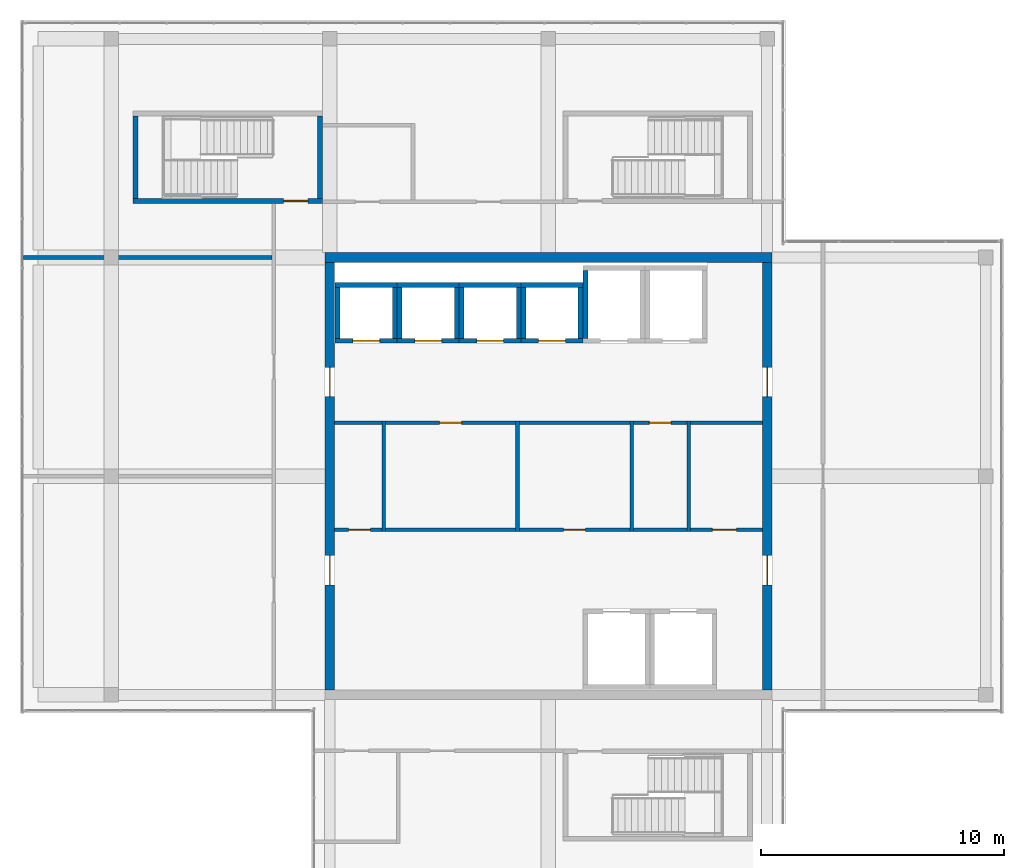
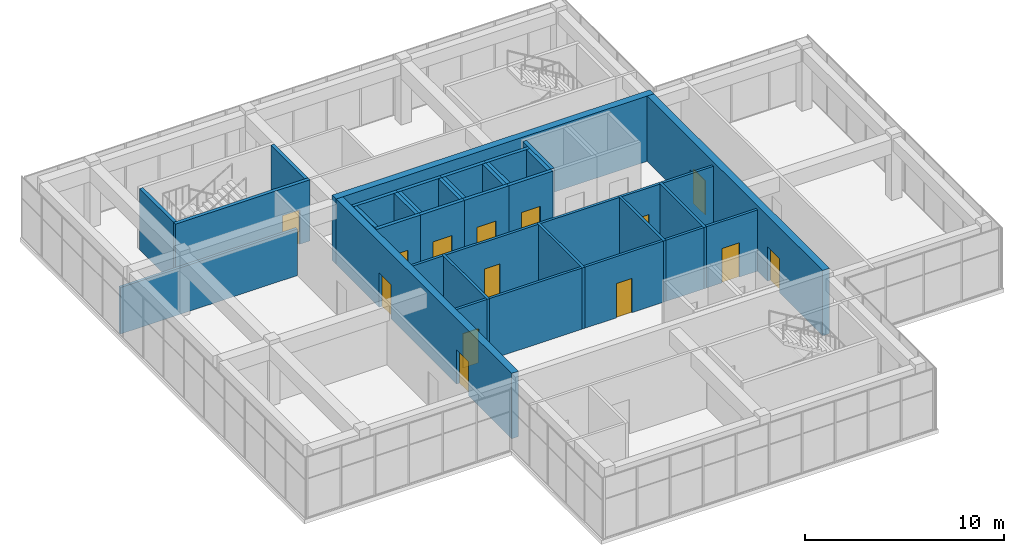
# One storey, part 32 of 35: 38 walls, 14 doors, 14 openings.
"""IFC4 building model written with IfcOpenShell, lengths in metres."""

from ifc_helpers import new_model, si_unit, direction, frame, frame_2d, origin, place, context, subcontext, project, spatial, rectangle, extrude, material, layer, layer_set, type_object, element, fill, save


model = new_model("IFC4")

# Units and contexts
model_context = context("Model", 3, precision=1e-05, world=origin(), true_north=direction((0.0, 1.0)))
body_context = subcontext(model_context, "Body", "Model", "MODEL_VIEW")
ifc_project = project(units=[si_unit("LENGTHUNIT", "METRE"), si_unit("AREAUNIT", "SQUARE_METRE"), si_unit("VOLUMEUNIT", "CUBIC_METRE"), si_unit("PLANEANGLEUNIT", "RADIAN"), si_unit("MASSUNIT", "GRAM", prefix="KILO")], contexts=[model_context])

# Site, building, storey
site_placement = place(None, origin())
site = spatial("IfcSite", under=ifc_project, at=site_placement, CompositionType="ELEMENT")
building_placement = place(site_placement, origin())
building = spatial("IfcBuilding", under=site, at=building_placement, Name="Tuart Plaza Theatre", CompositionType="ELEMENT")
storey_placement = place(building_placement, frame((0.0, 0.0, 45.5)))
storey = spatial("IfcBuildingStorey", under=building, at=storey_placement, Name="L11", CompositionType="ELEMENT", Elevation=45.5)

# Wall
ifc_material_1 = material(Name="Masonry block", Category="masonry")
ifc_layer_1 = layer(ifc_material_1, 0.14990234375)
ifc_layer_set_1 = layer_set([ifc_layer_1], Name="PARTITION BLK150 MASONRYB FRL -/120/120")
wall_type_1 = type_object("IfcWallType", Name="PARTITION BLK150 MASONRYB FRL -/120/120", PredefinedType="PARTITIONING", material=ifc_layer_set_1)
wall_1_placement = place(storey_placement, frame((125.22509765625, 71.72509765625, 0.0), z_axis=(0.0, 0.0, 1.0), x_axis=(0.0, 1.0, 0.0)))
element("IfcWall", 1, at=wall_1_placement, inside=storey, type_object=wall_type_1, Name="P666", PredefinedType="PARTITIONING", context=body_context, shape_type="SweptSolid", body=[
    extrude(rectangle(XDim=4.5498046875, YDim=0.14990234375, at=frame_2d((2.27490234375, 0.0))), origin(), (0.0, 0.0, 1.0), 3.75),
])

# Wall, opening, door
wall_2_placement = place(storey_placement, frame((123.199951171875, 71.800048828125, 0.0), z_axis=(0.0, 0.0, 1.0), x_axis=(1.0, 0.0, 0.0)))
wall_2 = element("IfcWall", 2, at=wall_2_placement, inside=storey, type_object=wall_type_1, Name="P667", PredefinedType="PARTITIONING", context=body_context, shape_type="SweptSolid", body=[
    extrude(rectangle(XDim=1.949951171875, YDim=0.14990234375, at=frame_2d((0.97509765625, 0.0))), origin(), (0.0, 0.0, 1.0), 3.75),
])
opening_1_placement = place(wall_2_placement, frame((0.574951171875, 0.0, 0.0)))
opening_1 = element("IfcOpeningElement", 3, at=opening_1_placement, cuts=wall_2, Name="Opening L11-016", PredefinedType="OPENING", context=body_context, shape_type="SweptSolid", body=[
    extrude(rectangle(XDim=0.89990234375, YDim=2.10009765625, at=frame_2d((0.449951171875, 1.050048828125))), frame((0.0, 0.0849609375, 0.0), z_axis=(0.0, -1.0, 0.0), x_axis=(1.0, 0.0, 0.0)), (0.0, 0.0, 1.0), 0.169921875),
])
ifc_material_2 = material(Name="Steel Grade 300", Category="steel")
door_type_1 = type_object("IfcDoorType", Name="DOOR 900x2100 steel single swing FRL -/120/30", OperationType="SINGLE_SWING_LEFT", PredefinedType="DOOR", material=ifc_material_2)
door_1_placement = place(opening_1_placement, origin())
door_1 = element("IfcDoor", 4, at=door_1_placement, inside=storey, type_object=door_type_1, Name="L11-016", OperationType="SINGLE_SWING_LEFT", OverallHeight=2.10009765625, OverallWidth=0.89990234375, PredefinedType="DOOR", context=body_context, shape_type="SweptSolid", body=[
    extrude(rectangle(XDim=0.89990234375, YDim=2.10009765625, at=frame_2d((0.449951171875, 1.050048828125))), frame((0.0, 0.02490234375, 0.0), z_axis=(0.0, -1.0, 0.0), x_axis=(1.0, 0.0, 0.0)), (0.0, 0.0, 1.0), 0.050048828125),
])
fill(opening_1, door_1)

# Walls
wall_3_placement = place(storey_placement, frame((123.199951171875, 76.199951171875, 0.0), z_axis=(0.0, 0.0, 1.0), x_axis=(1.0, 0.0, 0.0)))
element("IfcWall", 5, at=wall_3_placement, inside=storey, type_object=wall_type_1, Name="P668", PredefinedType="PARTITIONING", context=body_context, shape_type="SweptSolid", body=[
    extrude(rectangle(XDim=1.949951171875, YDim=0.14990234375, at=frame_2d((0.97509765625, 0.0))), origin(), (0.0, 0.0, 1.0), 3.75),
])
wall_4_placement = place(storey_placement, frame((130.72509765625, 71.72509765625, 0.0), z_axis=(0.0, 0.0, 1.0), x_axis=(0.0, 1.0, 0.0)))
element("IfcWall", 6, at=wall_4_placement, inside=storey, type_object=wall_type_1, Name="P669", PredefinedType="PARTITIONING", context=body_context, shape_type="SweptSolid", body=[
    extrude(rectangle(XDim=4.5498046875, YDim=0.14990234375, at=frame_2d((2.27490234375, 0.0))), origin(), (0.0, 0.0, 1.0), 3.75),
])
wall_5_placement = place(storey_placement, frame((125.300048828125, 71.800048828125, 0.0), z_axis=(0.0, 0.0, 1.0), x_axis=(1.0, 0.0, 0.0)))
element("IfcWall", 7, at=wall_5_placement, inside=storey, type_object=wall_type_1, Name="P670", PredefinedType="PARTITIONING", context=body_context, shape_type="SweptSolid", body=[
    extrude(rectangle(XDim=5.349853515625, YDim=0.14990234375, at=frame_2d((2.6748046875, 0.0))), origin(), (0.0, 0.0, 1.0), 3.75),
])

# Wall, opening, door
wall_6_placement = place(storey_placement, frame((125.300048828125, 76.199951171875, 0.0), z_axis=(0.0, 0.0, 1.0), x_axis=(1.0, 0.0, 0.0)))
wall_6 = element("IfcWall", 8, at=wall_6_placement, inside=storey, type_object=wall_type_1, Name="P671", PredefinedType="PARTITIONING", context=body_context, shape_type="SweptSolid", body=[
    extrude(rectangle(XDim=5.349853515625, YDim=0.14990234375, at=frame_2d((2.6748046875, 0.0))), origin(), (0.0, 0.0, 1.0), 3.75),
])
opening_2_placement = place(wall_6_placement, frame((2.22509765625, 0.0, 0.0)))
opening_2 = element("IfcOpeningElement", 9, at=opening_2_placement, cuts=wall_6, Name="Opening L11-017", PredefinedType="OPENING", context=body_context, shape_type="SweptSolid", body=[
    extrude(rectangle(XDim=0.89990234375, YDim=2.10009765625, at=frame_2d((0.449951171875, 1.050048828125))), frame((0.0, 0.0849609375, 0.0), z_axis=(0.0, -1.0, 0.0), x_axis=(1.0, 0.0, 0.0)), (0.0, 0.0, 1.0), 0.169921875),
])
door_2_placement = place(opening_2_placement, frame((0.89990234375, 0.0, 0.0), z_axis=(0.0, 0.0, 1.0), x_axis=(-1.0, 0.0, 0.0)))
door_2 = element("IfcDoor", 10, at=door_2_placement, inside=storey, type_object=door_type_1, Name="L11-017", OperationType="SINGLE_SWING_LEFT", OverallHeight=2.10009765625, OverallWidth=0.89990234375, PredefinedType="DOOR", context=body_context, shape_type="SweptSolid", body=[
    extrude(rectangle(XDim=0.89990234375, YDim=2.10009765625, at=frame_2d((0.449951171875, 1.050048828125))), frame((0.0, 0.02490234375, 0.0), z_axis=(0.0, -1.0, 0.0), x_axis=(1.0, 0.0, 0.0)), (0.0, 0.0, 1.0), 0.050048828125),
])
fill(opening_2, door_2)

# Wall
wall_7_placement = place(storey_placement, frame((135.425048828125, 71.72509765625, 0.0), z_axis=(0.0, 0.0, 1.0), x_axis=(0.0, 1.0, 0.0)))
element("IfcWall", 11, at=wall_7_placement, inside=storey, type_object=wall_type_1, Name="P672", PredefinedType="PARTITIONING", context=body_context, shape_type="SweptSolid", body=[
    extrude(rectangle(XDim=4.5498046875, YDim=0.14990234375, at=frame_2d((2.27490234375, 0.0))), origin(), (0.0, 0.0, 1.0), 3.75),
])

# Wall, opening, door
wall_8_placement = place(storey_placement, frame((130.800048828125, 71.800048828125, 0.0), z_axis=(0.0, 0.0, 1.0), x_axis=(1.0, 0.0, 0.0)))
wall_8 = element("IfcWall", 12, at=wall_8_placement, inside=storey, type_object=wall_type_1, Name="P673", PredefinedType="PARTITIONING", context=body_context, shape_type="SweptSolid", body=[
    extrude(rectangle(XDim=4.550048828125, YDim=0.14990234375, at=frame_2d((2.27490234375, 0.0))), origin(), (0.0, 0.0, 1.0), 3.75),
])
opening_3_placement = place(wall_8_placement, frame((1.824951171875, 0.0, 0.0)))
opening_3 = element("IfcOpeningElement", 13, at=opening_3_placement, cuts=wall_8, Name="Opening L11-018", PredefinedType="OPENING", context=body_context, shape_type="SweptSolid", body=[
    extrude(rectangle(XDim=0.89990234375, YDim=2.10009765625, at=frame_2d((0.449951171875, 1.050048828125))), frame((0.0, 0.0849609375, 0.0), z_axis=(0.0, -1.0, 0.0), x_axis=(1.0, 0.0, 0.0)), (0.0, 0.0, 1.0), 0.169921875),
])
door_3_placement = place(opening_3_placement, origin())
door_3 = element("IfcDoor", 14, at=door_3_placement, inside=storey, type_object=door_type_1, Name="L11-018", OperationType="SINGLE_SWING_LEFT", OverallHeight=2.10009765625, OverallWidth=0.89990234375, PredefinedType="DOOR", context=body_context, shape_type="SweptSolid", body=[
    extrude(rectangle(XDim=0.89990234375, YDim=2.10009765625, at=frame_2d((0.449951171875, 1.050048828125))), frame((0.0, 0.02490234375, 0.0), z_axis=(0.0, -1.0, 0.0), x_axis=(1.0, 0.0, 0.0)), (0.0, 0.0, 1.0), 0.050048828125),
])
fill(opening_3, door_3)

# Walls
wall_9_placement = place(storey_placement, frame((130.800048828125, 76.199951171875, 0.0), z_axis=(0.0, 0.0, 1.0), x_axis=(1.0, 0.0, 0.0)))
element("IfcWall", 15, at=wall_9_placement, inside=storey, type_object=wall_type_1, Name="P674", PredefinedType="PARTITIONING", context=body_context, shape_type="SweptSolid", body=[
    extrude(rectangle(XDim=4.550048828125, YDim=0.14990234375, at=frame_2d((2.27490234375, 0.0))), origin(), (0.0, 0.0, 1.0), 3.75),
])
wall_10_placement = place(storey_placement, frame((137.77490234375, 71.72509765625, 0.0), z_axis=(0.0, 0.0, 1.0), x_axis=(0.0, 1.0, 0.0)))
element("IfcWall", 16, at=wall_10_placement, inside=storey, type_object=wall_type_1, Name="P675", PredefinedType="PARTITIONING", context=body_context, shape_type="SweptSolid", body=[
    extrude(rectangle(XDim=4.5498046875, YDim=0.14990234375, at=frame_2d((2.27490234375, 0.0))), origin(), (0.0, 0.0, 1.0), 3.75),
])
wall_11_placement = place(storey_placement, frame((135.5, 71.800048828125, 0.0), z_axis=(0.0, 0.0, 1.0), x_axis=(1.0, 0.0, 0.0)))
element("IfcWall", 17, at=wall_11_placement, inside=storey, type_object=wall_type_1, Name="P676", PredefinedType="PARTITIONING", context=body_context, shape_type="SweptSolid", body=[
    extrude(rectangle(XDim=2.199951171875, YDim=0.14990234375, at=frame_2d((1.10009765625, 0.0))), origin(), (0.0, 0.0, 1.0), 3.75),
])

# Wall, opening, door
wall_12_placement = place(storey_placement, frame((135.5, 76.199951171875, 0.0), z_axis=(0.0, 0.0, 1.0), x_axis=(1.0, 0.0, 0.0)))
wall_12 = element("IfcWall", 18, at=wall_12_placement, inside=storey, type_object=wall_type_1, Name="P677", PredefinedType="PARTITIONING", context=body_context, shape_type="SweptSolid", body=[
    extrude(rectangle(XDim=2.199951171875, YDim=0.14990234375, at=frame_2d((1.10009765625, 0.0))), origin(), (0.0, 0.0, 1.0), 3.75),
])
opening_4_placement = place(wall_12_placement, frame((0.64990234375, 0.0, 0.0)))
opening_4 = element("IfcOpeningElement", 19, at=opening_4_placement, cuts=wall_12, Name="Opening L11-019", PredefinedType="OPENING", context=body_context, shape_type="SweptSolid", body=[
    extrude(rectangle(XDim=0.89990234375, YDim=2.10009765625, at=frame_2d((0.449951171875, 1.050048828125))), frame((0.0, 0.0849609375, 0.0), z_axis=(0.0, -1.0, 0.0), x_axis=(1.0, 0.0, 0.0)), (0.0, 0.0, 1.0), 0.169921875),
])
door_4_placement = place(opening_4_placement, frame((0.89990234375, 0.0, 0.0), z_axis=(0.0, 0.0, 1.0), x_axis=(-1.0, 0.0, 0.0)))
door_4 = element("IfcDoor", 20, at=door_4_placement, inside=storey, type_object=door_type_1, Name="L11-019", OperationType="SINGLE_SWING_LEFT", OverallHeight=2.10009765625, OverallWidth=0.89990234375, PredefinedType="DOOR", context=body_context, shape_type="SweptSolid", body=[
    extrude(rectangle(XDim=0.89990234375, YDim=2.10009765625, at=frame_2d((0.449951171875, 1.050048828125))), frame((0.0, 0.02490234375, 0.0), z_axis=(0.0, -1.0, 0.0), x_axis=(1.0, 0.0, 0.0)), (0.0, 0.0, 1.0), 0.050048828125),
])
fill(opening_4, door_4)

wall_13_placement = place(storey_placement, frame((137.85009765625, 71.800048828125, 0.0), z_axis=(0.0, 0.0, 1.0), x_axis=(1.0, 0.0, 0.0)))
wall_13 = element("IfcWall", 21, at=wall_13_placement, inside=storey, type_object=wall_type_1, Name="P678", PredefinedType="PARTITIONING", context=body_context, shape_type="SweptSolid", body=[
    extrude(rectangle(XDim=2.949951171875, YDim=0.14990234375, at=frame_2d((1.47509765625, 0.0))), origin(), (0.0, 0.0, 1.0), 3.75),
])
opening_5_placement = place(wall_13_placement, frame((0.89990234375, 0.0, 0.0)))
opening_5 = element("IfcOpeningElement", 22, at=opening_5_placement, cuts=wall_13, Name="Opening L11-020", PredefinedType="OPENING", context=body_context, shape_type="SweptSolid", body=[
    extrude(rectangle(XDim=1.0, YDim=2.10009765625, at=frame_2d((0.5, 1.050048828125))), frame((0.0, 0.0849609375, 0.0), z_axis=(0.0, -1.0, 0.0), x_axis=(1.0, 0.0, 0.0)), (0.0, 0.0, 1.0), 0.169921875),
])
ifc_material_3 = material(Name="Steel Grade 300", Category="steel")
door_type_2 = type_object("IfcDoorType", Name="DOOR 1000x2100 steel single swing FRL -/120/30", OperationType="SINGLE_SWING_LEFT", PredefinedType="DOOR", material=ifc_material_3)
door_5_placement = place(opening_5_placement, origin())
door_5 = element("IfcDoor", 23, at=door_5_placement, inside=storey, type_object=door_type_2, Name="L11-020", OperationType="SINGLE_SWING_RIGHT", OverallHeight=2.10009765625, OverallWidth=1.0, PredefinedType="DOOR", context=body_context, shape_type="SweptSolid", body=[
    extrude(rectangle(XDim=1.0, YDim=2.10009765625, at=frame_2d((0.5, 1.050048828125))), frame((0.0, 0.02490234375, 0.0), z_axis=(0.0, -1.0, 0.0), x_axis=(1.0, 0.0, 0.0)), (0.0, 0.0, 1.0), 0.050048828125),
])
fill(opening_5, door_5)

# Walls
wall_14_placement = place(storey_placement, frame((137.85009765625, 76.199951171875, 0.0), z_axis=(0.0, 0.0, 1.0), x_axis=(1.0, 0.0, 0.0)))
element("IfcWall", 24, at=wall_14_placement, inside=storey, type_object=wall_type_1, Name="P679", PredefinedType="PARTITIONING", context=body_context, shape_type="SweptSolid", body=[
    extrude(rectangle(XDim=2.949951171875, YDim=0.14990234375, at=frame_2d((1.47509765625, 0.0))), origin(), (0.0, 0.0, 1.0), 3.75),
])
ifc_material_4 = material(Name="Masonry block", Category="masonry")
ifc_layer_2 = layer(ifc_material_4, 0.14990234375)
ifc_layer_set_2 = layer_set([ifc_layer_2], Name="PARTITION BLK150 MASONRYB FRL 120/-/-")
wall_type_2 = type_object("IfcWallType", Name="PARTITION BLK150 MASONRYB FRL 120/-/-", PredefinedType="PARTITIONING", material=ifc_layer_set_2)
wall_15_placement = place(storey_placement, frame((110.39990234375, 83.0, 0.0), z_axis=(0.0, 0.0, 1.0), x_axis=(1.0, 0.0, 0.0)))
element("IfcWall", 25, at=wall_15_placement, inside=storey, type_object=wall_type_2, Name="P687", PredefinedType="PARTITIONING", context=body_context, shape_type="SweptSolid", body=[
    extrude(rectangle(XDim=10.22607421875, YDim=0.14990234375, at=frame_2d((5.113037109375, 0.0))), origin(), (0.0, 0.0, 1.0), 2.85009765625),
])

# Wall, opening, door
ifc_material_5 = material(Name="Concrete N40 (40 MPa)", Category="concrete")
ifc_layer_3 = layer(ifc_material_5, 0.199951171875)
ifc_layer_set_3 = layer_set([ifc_layer_3], Name="SHEAR WALL RC200 FRL 120/120/120")
wall_type_3 = type_object("IfcWallType", Name="SHEAR WALL RC200 FRL 120/120/120", PredefinedType="SHEAR", material=ifc_layer_set_3)
wall_16_placement = place(storey_placement, frame((123.22509765625, 79.574951171875, 0.0), z_axis=(0.0, 0.0, 1.0), x_axis=(1.0, 0.0, 0.0)))
wall_16 = element("IfcWall", 26, at=wall_16_placement, inside=storey, type_object=wall_type_3, Name="W770", PredefinedType="SHEAR", context=body_context, shape_type="SweptSolid", body=[
    extrude(rectangle(XDim=2.5498046875, YDim=0.199951171875, at=frame_2d((1.27490234375, 0.0))), origin(), (0.0, 0.0, 1.0), 4.0),
])
opening_6_placement = place(wall_16_placement, frame((0.72509765625, 0.0, 0.0)))
opening_6 = element("IfcOpeningElement", 27, at=opening_6_placement, cuts=wall_16, Name="Opening L11-001", PredefinedType="OPENING", context=body_context, shape_type="SweptSolid", body=[
    extrude(rectangle(XDim=1.10009765625, YDim=2.10009765625, at=frame_2d((0.550048828125, 1.050048828125))), frame((0.0, 0.10986328125, 0.0), z_axis=(0.0, -1.0, 0.0), x_axis=(1.0, 0.0, 0.0)), (0.0, 0.0, 1.0), 0.219970703125),
])
ifc_material_6 = material(Name="Steel Grade 300", Category="steel")
door_type_3 = type_object("IfcDoorType", Name="LANDING DOOR 1100x2100 steel sliding FRL -/120/30", OperationType="SLIDING_TO_LEFT", PredefinedType="DOOR", material=ifc_material_6)
door_6_placement = place(opening_6_placement, origin())
door_6 = element("IfcDoor", 28, at=door_6_placement, inside=storey, type_object=door_type_3, Name="L11-001", OperationType="SLIDING_TO_LEFT", OverallHeight=2.10009765625, OverallWidth=1.10009765625, PredefinedType="DOOR", context=body_context, shape_type="SweptSolid", body=[
    extrude(rectangle(XDim=1.10009765625, YDim=2.10009765625, at=frame_2d((0.550048828125, 1.050048828125))), frame((0.0, 0.02490234375, 0.0), z_axis=(0.0, -1.0, 0.0), x_axis=(1.0, 0.0, 0.0)), (0.0, 0.0, 1.0), 0.050048828125),
])
fill(opening_6, door_6)

# Walls
wall_17_placement = place(storey_placement, frame((125.675048828125, 79.675048828125, 0.0), z_axis=(0.0, 0.0, 1.0), x_axis=(0.0, 1.0, 0.0)))
element("IfcWall", 29, at=wall_17_placement, inside=storey, type_object=wall_type_3, Name="W771", PredefinedType="SHEAR", context=body_context, shape_type="SweptSolid", body=[
    extrude(rectangle(XDim=2.099853515625, YDim=0.199951171875, at=frame_2d((1.0498046875, 0.0))), origin(), (0.0, 0.0, 1.0), 4.0),
])
wall_18_placement = place(storey_placement, frame((125.77490234375, 81.875, 0.0), z_axis=(0.0, 0.0, 1.0), x_axis=(-1.0, 0.0, 0.0)))
element("IfcWall", 30, at=wall_18_placement, inside=storey, type_object=wall_type_3, Name="W772", PredefinedType="SHEAR", context=body_context, shape_type="SweptSolid", body=[
    extrude(rectangle(XDim=2.5498046875, YDim=0.199951171875, at=frame_2d((1.27490234375, 0.0))), origin(), (0.0, 0.0, 1.0), 4.0),
])
wall_19_placement = place(storey_placement, frame((123.324951171875, 81.77490234375, 0.0), z_axis=(0.0, 0.0, 1.0), x_axis=(0.0, -1.0, 0.0)))
element("IfcWall", 31, at=wall_19_placement, inside=storey, type_object=wall_type_3, Name="W773", PredefinedType="SHEAR", context=body_context, shape_type="SweptSolid", body=[
    extrude(rectangle(XDim=2.099853515625, YDim=0.199951171875, at=frame_2d((1.0498046875, 0.0))), origin(), (0.0, 0.0, 1.0), 4.0),
])

# Wall, opening, door
wall_20_placement = place(storey_placement, frame((125.77490234375, 79.574951171875, 0.0), z_axis=(0.0, 0.0, 1.0), x_axis=(1.0, 0.0, 0.0)))
wall_20 = element("IfcWall", 32, at=wall_20_placement, inside=storey, type_object=wall_type_3, Name="W842", PredefinedType="SHEAR", context=body_context, shape_type="SweptSolid", body=[
    extrude(rectangle(XDim=2.550048828125, YDim=0.199951171875, at=frame_2d((1.27490234375, 0.0))), origin(), (0.0, 0.0, 1.0), 4.0),
])
opening_7_placement = place(wall_20_placement, frame((0.72509765625, 0.0, 0.0)))
opening_7 = element("IfcOpeningElement", 33, at=opening_7_placement, cuts=wall_20, Name="Opening L11-002", PredefinedType="OPENING", context=body_context, shape_type="SweptSolid", body=[
    extrude(rectangle(XDim=1.10009765625, YDim=2.10009765625, at=frame_2d((0.550048828125, 1.050048828125))), frame((0.0, 0.10986328125, 0.0), z_axis=(0.0, -1.0, 0.0), x_axis=(1.0, 0.0, 0.0)), (0.0, 0.0, 1.0), 0.219970703125),
])
door_7_placement = place(opening_7_placement, origin())
door_7 = element("IfcDoor", 34, at=door_7_placement, inside=storey, type_object=door_type_3, Name="L11-002", OperationType="SLIDING_TO_LEFT", OverallHeight=2.10009765625, OverallWidth=1.10009765625, PredefinedType="DOOR", context=body_context, shape_type="SweptSolid", body=[
    extrude(rectangle(XDim=1.10009765625, YDim=2.10009765625, at=frame_2d((0.550048828125, 1.050048828125))), frame((0.0, 0.02490234375, 0.0), z_axis=(0.0, -1.0, 0.0), x_axis=(1.0, 0.0, 0.0)), (0.0, 0.0, 1.0), 0.050048828125),
])
fill(opening_7, door_7)

# Walls
wall_21_placement = place(storey_placement, frame((128.22509765625, 79.675048828125, 0.0), z_axis=(0.0, 0.0, 1.0), x_axis=(0.0, 1.0, 0.0)))
element("IfcWall", 35, at=wall_21_placement, inside=storey, type_object=wall_type_3, Name="W843", PredefinedType="SHEAR", context=body_context, shape_type="SweptSolid", body=[
    extrude(rectangle(XDim=2.099853515625, YDim=0.199951171875, at=frame_2d((1.0498046875, 0.0))), origin(), (0.0, 0.0, 1.0), 4.0),
])
wall_22_placement = place(storey_placement, frame((128.324951171875, 81.875, 0.0), z_axis=(0.0, 0.0, 1.0), x_axis=(-1.0, 0.0, 0.0)))
element("IfcWall", 36, at=wall_22_placement, inside=storey, type_object=wall_type_3, Name="W844", PredefinedType="SHEAR", context=body_context, shape_type="SweptSolid", body=[
    extrude(rectangle(XDim=2.550048828125, YDim=0.199951171875, at=frame_2d((1.27490234375, 0.0))), origin(), (0.0, 0.0, 1.0), 4.0),
])
wall_23_placement = place(storey_placement, frame((125.875, 81.77490234375, 0.0), z_axis=(0.0, 0.0, 1.0), x_axis=(0.0, -1.0, 0.0)))
element("IfcWall", 37, at=wall_23_placement, inside=storey, type_object=wall_type_3, Name="W845", PredefinedType="SHEAR", context=body_context, shape_type="SweptSolid", body=[
    extrude(rectangle(XDim=2.099853515625, YDim=0.199951171875, at=frame_2d((1.0498046875, 0.0))), origin(), (0.0, 0.0, 1.0), 4.0),
])

# Wall, opening, door
wall_24_placement = place(storey_placement, frame((128.324951171875, 79.574951171875, 0.0), z_axis=(0.0, 0.0, 1.0), x_axis=(1.0, 0.0, 0.0)))
wall_24 = element("IfcWall", 38, at=wall_24_placement, inside=storey, type_object=wall_type_3, Name="W914", PredefinedType="SHEAR", context=body_context, shape_type="SweptSolid", body=[
    extrude(rectangle(XDim=2.550048828125, YDim=0.199951171875, at=frame_2d((1.27490234375, 0.0))), origin(), (0.0, 0.0, 1.0), 4.0),
])
opening_8_placement = place(wall_24_placement, frame((0.72509765625, 0.0, 0.0)))
opening_8 = element("IfcOpeningElement", 39, at=opening_8_placement, cuts=wall_24, Name="Opening L11-003", PredefinedType="OPENING", context=body_context, shape_type="SweptSolid", body=[
    extrude(rectangle(XDim=1.10009765625, YDim=2.10009765625, at=frame_2d((0.550048828125, 1.050048828125))), frame((0.0, 0.10986328125, 0.0), z_axis=(0.0, -1.0, 0.0), x_axis=(1.0, 0.0, 0.0)), (0.0, 0.0, 1.0), 0.219970703125),
])
door_8_placement = place(opening_8_placement, origin())
door_8 = element("IfcDoor", 40, at=door_8_placement, inside=storey, type_object=door_type_3, Name="L11-003", OperationType="SLIDING_TO_LEFT", OverallHeight=2.10009765625, OverallWidth=1.10009765625, PredefinedType="DOOR", context=body_context, shape_type="SweptSolid", body=[
    extrude(rectangle(XDim=1.10009765625, YDim=2.10009765625, at=frame_2d((0.550048828125, 1.050048828125))), frame((0.0, 0.02490234375, 0.0), z_axis=(0.0, -1.0, 0.0), x_axis=(1.0, 0.0, 0.0)), (0.0, 0.0, 1.0), 0.050048828125),
])
fill(opening_8, door_8)

# Walls
wall_25_placement = place(storey_placement, frame((130.77490234375, 79.675048828125, 0.0), z_axis=(0.0, 0.0, 1.0), x_axis=(0.0, 1.0, 0.0)))
element("IfcWall", 41, at=wall_25_placement, inside=storey, type_object=wall_type_3, Name="W915", PredefinedType="SHEAR", context=body_context, shape_type="SweptSolid", body=[
    extrude(rectangle(XDim=2.099853515625, YDim=0.199951171875, at=frame_2d((1.0498046875, 0.0))), origin(), (0.0, 0.0, 1.0), 4.0),
])
wall_26_placement = place(storey_placement, frame((130.875, 81.875, 0.0), z_axis=(0.0, 0.0, 1.0), x_axis=(-1.0, 0.0, 0.0)))
element("IfcWall", 42, at=wall_26_placement, inside=storey, type_object=wall_type_3, Name="W916", PredefinedType="SHEAR", context=body_context, shape_type="SweptSolid", body=[
    extrude(rectangle(XDim=2.550048828125, YDim=0.199951171875, at=frame_2d((1.27490234375, 0.0))), origin(), (0.0, 0.0, 1.0), 4.0),
])
wall_27_placement = place(storey_placement, frame((128.425048828125, 81.77490234375, 0.0), z_axis=(0.0, 0.0, 1.0), x_axis=(0.0, -1.0, 0.0)))
element("IfcWall", 43, at=wall_27_placement, inside=storey, type_object=wall_type_3, Name="W917", PredefinedType="SHEAR", context=body_context, shape_type="SweptSolid", body=[
    extrude(rectangle(XDim=2.099853515625, YDim=0.199951171875, at=frame_2d((1.0498046875, 0.0))), origin(), (0.0, 0.0, 1.0), 4.0),
])

# Wall, opening, door
wall_28_placement = place(storey_placement, frame((130.875, 79.574951171875, 0.0), z_axis=(0.0, 0.0, 1.0), x_axis=(1.0, 0.0, 0.0)))
wall_28 = element("IfcWall", 44, at=wall_28_placement, inside=storey, type_object=wall_type_3, Name="W986", PredefinedType="SHEAR", context=body_context, shape_type="SweptSolid", body=[
    extrude(rectangle(XDim=2.550048828125, YDim=0.199951171875, at=frame_2d((1.27490234375, 0.0))), origin(), (0.0, 0.0, 1.0), 4.0),
])
opening_9_placement = place(wall_28_placement, frame((0.72509765625, 0.0, 0.0)))
opening_9 = element("IfcOpeningElement", 45, at=opening_9_placement, cuts=wall_28, Name="Opening L11-004", PredefinedType="OPENING", context=body_context, shape_type="SweptSolid", body=[
    extrude(rectangle(XDim=1.10009765625, YDim=2.10009765625, at=frame_2d((0.550048828125, 1.050048828125))), frame((0.0, 0.10986328125, 0.0), z_axis=(0.0, -1.0, 0.0), x_axis=(1.0, 0.0, 0.0)), (0.0, 0.0, 1.0), 0.219970703125),
])
door_9_placement = place(opening_9_placement, origin())
door_9 = element("IfcDoor", 46, at=door_9_placement, inside=storey, type_object=door_type_3, Name="L11-004", OperationType="SLIDING_TO_LEFT", OverallHeight=2.10009765625, OverallWidth=1.10009765625, PredefinedType="DOOR", context=body_context, shape_type="SweptSolid", body=[
    extrude(rectangle(XDim=1.10009765625, YDim=2.10009765625, at=frame_2d((0.550048828125, 1.050048828125))), frame((0.0, 0.02490234375, 0.0), z_axis=(0.0, -1.0, 0.0), x_axis=(1.0, 0.0, 0.0)), (0.0, 0.0, 1.0), 0.050048828125),
])
fill(opening_9, door_9)

# Walls
wall_29_placement = place(storey_placement, frame((133.324951171875, 79.675048828125, 0.0), z_axis=(0.0, 0.0, 1.0), x_axis=(0.0, 1.0, 0.0)))
element("IfcWall", 47, at=wall_29_placement, inside=storey, type_object=wall_type_3, Name="W987", PredefinedType="SHEAR", context=body_context, shape_type="SweptSolid", body=[
    extrude(rectangle(XDim=2.099853515625, YDim=0.199951171875, at=frame_2d((1.0498046875, 0.0))), origin(), (0.0, 0.0, 1.0), 4.0),
])
wall_30_placement = place(storey_placement, frame((133.425048828125, 81.875, 0.0), z_axis=(0.0, 0.0, 1.0), x_axis=(-1.0, 0.0, 0.0)))
element("IfcWall", 48, at=wall_30_placement, inside=storey, type_object=wall_type_3, Name="W988", PredefinedType="SHEAR", context=body_context, shape_type="SweptSolid", body=[
    extrude(rectangle(XDim=2.550048828125, YDim=0.199951171875, at=frame_2d((1.27490234375, 0.0))), origin(), (0.0, 0.0, 1.0), 4.0),
])
wall_31_placement = place(storey_placement, frame((130.97509765625, 81.77490234375, 0.0), z_axis=(0.0, 0.0, 1.0), x_axis=(0.0, -1.0, 0.0)))
element("IfcWall", 49, at=wall_31_placement, inside=storey, type_object=wall_type_3, Name="W989", PredefinedType="SHEAR", context=body_context, shape_type="SweptSolid", body=[
    extrude(rectangle(XDim=2.099853515625, YDim=0.199951171875, at=frame_2d((1.0498046875, 0.0))), origin(), (0.0, 0.0, 1.0), 4.0),
])
wall_32_placement = place(storey_placement, frame((133.52490234375, 82.47509765625, 0.0), z_axis=(0.0, 0.0, 1.0), x_axis=(0.0, -1.0, 0.0)))
element("IfcWall", 50, at=wall_32_placement, inside=storey, type_object=wall_type_3, Name="W1213", PredefinedType="SHEAR", context=body_context, shape_type="SweptSolid", body=[
    extrude(rectangle(XDim=2.800048828125, YDim=0.199951171875, at=frame_2d((1.39990234375, 0.0))), origin(), (0.0, 0.0, 1.0), 4.0),
])

# Wall, opening, door
wall_33_placement = place(storey_placement, frame((114.89990234375, 85.324951171875, 0.0), z_axis=(0.0, 0.0, 1.0), x_axis=(1.0, 0.0, 0.0)))
wall_33 = element("IfcWall", 51, at=wall_33_placement, inside=storey, type_object=wall_type_3, Name="P464", PredefinedType="SHEAR", context=body_context, shape_type="SweptSolid", body=[
    extrude(rectangle(XDim=7.800048828125, YDim=0.199951171875, at=frame_2d((3.89990234375, 0.0))), origin(), (0.0, 0.0, 1.0), 3.75),
])
opening_10_placement = place(wall_33_placement, frame((6.199951171875, 0.0, 0.0)))
opening_10 = element("IfcOpeningElement", 52, at=opening_10_placement, cuts=wall_33, Name="Opening L11-011", PredefinedType="OPENING", context=body_context, shape_type="SweptSolid", body=[
    extrude(rectangle(XDim=1.0, YDim=2.10009765625, at=frame_2d((0.5, 1.050048828125))), frame((0.0, 0.10986328125, 0.0), z_axis=(0.0, -1.0, 0.0), x_axis=(1.0, 0.0, 0.0)), (0.0, 0.0, 1.0), 0.219970703125),
])
door_10_placement = place(opening_10_placement, origin())
door_10 = element("IfcDoor", 53, at=door_10_placement, inside=storey, type_object=door_type_2, Name="L11-011", OperationType="SINGLE_SWING_LEFT", OverallHeight=2.10009765625, OverallWidth=1.0, PredefinedType="DOOR", context=body_context, shape_type="SweptSolid", body=[
    extrude(rectangle(XDim=1.0, YDim=2.10009765625, at=frame_2d((0.5, 1.050048828125))), frame((0.0, 0.02490234375, 0.0), z_axis=(0.0, -1.0, 0.0), x_axis=(1.0, 0.0, 0.0)), (0.0, 0.0, 1.0), 0.050048828125),
])
fill(opening_10, door_10)

# Walls
for number, where, z_axis, x_axis, name in (
    (54, (122.60009765625, 85.425048828125, 0.0), (0.0, 0.0, 1.0), (0.0, 1.0, 0.0), "P465"),
    (55, (115.0, 88.824951171875, 0.0), (0.0, 0.0, 1.0), (0.0, -1.0, 0.0), "P467"),
):
    element("IfcWall", number, at=place(storey_placement, frame(where, z_axis=z_axis, x_axis=x_axis)), inside=storey, type_object=wall_type_3, Name=name, PredefinedType="SHEAR", context=body_context, shape_type="SweptSolid", body=[
        extrude(rectangle(XDim=3.39990234375, YDim=0.199951171875, at=frame_2d((1.699951171875, 0.0))), origin(), (0.0, 0.0, 1.0), 3.75),
    ])

# Wall, openings, doors
ifc_material_7 = material(Name="Concrete N50 (50 MPa)", Category="concrete")
ifc_layer_4 = layer(ifc_material_7, 0.39990234375)
ifc_layer_set_4 = layer_set([ifc_layer_4], Name="SHEAR WALL RC400 N50 FRL 120/120/120")
wall_type_4 = type_object("IfcWallType", Name="SHEAR WALL RC400 N50 FRL 120/120/120", PredefinedType="SHEAR", material=ifc_layer_set_4)
wall_34_placement = place(storey_placement, frame((141.0, 65.199951171875, 0.0), z_axis=(0.0, 0.0, 1.0), x_axis=(0.0, 1.0, 0.0)))
wall_34 = element("IfcWall", 56, at=wall_34_placement, inside=storey, type_object=wall_type_4, Name="W412", PredefinedType="SHEAR", context=body_context, shape_type="SweptSolid", body=[
    extrude(rectangle(XDim=17.60009765625, YDim=0.39990234375, at=frame_2d((8.800048828125, 0.0))), origin(), (0.0, 0.0, 1.0), 4.0),
])
opening_11_placement = place(wall_34_placement, frame((4.324951171875, 0.0, 0.0)))
opening_11 = element("IfcOpeningElement", 57, at=opening_11_placement, cuts=wall_34, Name="Opening L11-013", PredefinedType="OPENING", context=body_context, shape_type="SweptSolid", body=[
    extrude(rectangle(XDim=1.199951171875, YDim=2.10009765625, at=frame_2d((0.60009765625, 1.050048828125))), frame((0.0, 0.2099609375, 0.0), z_axis=(0.0, -1.0, 0.0), x_axis=(1.0, 0.0, 0.0)), (0.0, 0.0, 1.0), 0.419921875),
])
opening_12_placement = place(wall_34_placement, frame((12.074951171875, 0.0, 0.0)))
opening_12 = element("IfcOpeningElement", 58, at=opening_12_placement, cuts=wall_34, Name="Opening L11-015", PredefinedType="OPENING", context=body_context, shape_type="SweptSolid", body=[
    extrude(rectangle(XDim=1.199951171875, YDim=2.10009765625, at=frame_2d((0.60009765625, 1.050048828125))), frame((0.0, 0.2099609375, 0.0), z_axis=(0.0, -1.0, 0.0), x_axis=(1.0, 0.0, 0.0)), (0.0, 0.0, 1.0), 0.419921875),
])
ifc_material_8 = material(Name="Steel Grade 300", Category="steel")
door_type_4 = type_object("IfcDoorType", Name="DOOR 1200x2100 steel single swing FRL -/120/30", OperationType="SINGLE_SWING_LEFT", PredefinedType="DOOR", material=ifc_material_8)
door_11_placement = place(opening_11_placement, frame((1.199951171875, 0.0, 0.0), z_axis=(0.0, 0.0, 1.0), x_axis=(-1.0, 0.0, 0.0)))
door_11 = element("IfcDoor", 59, at=door_11_placement, inside=storey, type_object=door_type_4, Name="L11-013", OperationType="SINGLE_SWING_LEFT", OverallHeight=2.10009765625, OverallWidth=1.199951171875, PredefinedType="DOOR", context=body_context, shape_type="SweptSolid", body=[
    extrude(rectangle(XDim=1.199951171875, YDim=2.10009765625, at=frame_2d((0.60009765625, 1.050048828125))), frame((0.0, 0.02490234375, 0.0), z_axis=(0.0, -1.0, 0.0), x_axis=(1.0, 0.0, 0.0)), (0.0, 0.0, 1.0), 0.050048828125),
])
fill(opening_11, door_11)
door_12_placement = place(opening_12_placement, frame((1.199951171875, 0.0, 0.0), z_axis=(0.0, 0.0, 1.0), x_axis=(-1.0, 0.0, 0.0)))
door_12 = element("IfcDoor", 60, at=door_12_placement, inside=storey, type_object=door_type_4, Name="L11-015", OperationType="SINGLE_SWING_RIGHT", OverallHeight=2.10009765625, OverallWidth=1.199951171875, PredefinedType="DOOR", context=body_context, shape_type="SweptSolid", body=[
    extrude(rectangle(XDim=1.199951171875, YDim=2.10009765625, at=frame_2d((0.60009765625, 1.050048828125))), frame((0.0, 0.02490234375, 0.0), z_axis=(0.0, -1.0, 0.0), x_axis=(1.0, 0.0, 0.0)), (0.0, 0.0, 1.0), 0.050048828125),
])
fill(opening_12, door_12)

# Wall
wall_35_placement = place(storey_placement, frame((141.199951171875, 83.0, 0.0), z_axis=(0.0, 0.0, 1.0), x_axis=(-1.0, 0.0, 0.0)))
element("IfcWall", 61, at=wall_35_placement, inside=storey, type_object=wall_type_4, Name="W413", PredefinedType="SHEAR", context=body_context, shape_type="SweptSolid", body=[
    extrude(rectangle(XDim=18.39990234375, YDim=0.39990234375, at=frame_2d((9.199951171875, 0.0))), origin(), (0.0, 0.0, 1.0), 4.0),
])

# Wall, openings, doors
wall_36_placement = place(storey_placement, frame((123.0, 82.800048828125, 0.0), z_axis=(0.0, 0.0, 1.0), x_axis=(0.0, -1.0, 0.0)))
wall_36 = element("IfcWall", 62, at=wall_36_placement, inside=storey, type_object=wall_type_4, Name="W414", PredefinedType="SHEAR", context=body_context, shape_type="SweptSolid", body=[
    extrude(rectangle(XDim=17.60009765625, YDim=0.39990234375, at=frame_2d((8.800048828125, 0.0))), origin(), (0.0, 0.0, 1.0), 4.0),
])
opening_13_placement = place(wall_36_placement, frame((12.074951171875, 0.0, 0.0)))
opening_13 = element("IfcOpeningElement", 63, at=opening_13_placement, cuts=wall_36, Name="Opening L11-012", PredefinedType="OPENING", context=body_context, shape_type="SweptSolid", body=[
    extrude(rectangle(XDim=1.199951171875, YDim=2.10009765625, at=frame_2d((0.60009765625, 1.050048828125))), frame((0.0, 0.2099609375, 0.0), z_axis=(0.0, -1.0, 0.0), x_axis=(1.0, 0.0, 0.0)), (0.0, 0.0, 1.0), 0.419921875),
])
opening_14_placement = place(wall_36_placement, frame((4.324951171875, 0.0, 0.0)))
opening_14 = element("IfcOpeningElement", 64, at=opening_14_placement, cuts=wall_36, Name="Opening L11-014", PredefinedType="OPENING", context=body_context, shape_type="SweptSolid", body=[
    extrude(rectangle(XDim=1.199951171875, YDim=2.10009765625, at=frame_2d((0.60009765625, 1.050048828125))), frame((0.0, 0.2099609375, 0.0), z_axis=(0.0, -1.0, 0.0), x_axis=(1.0, 0.0, 0.0)), (0.0, 0.0, 1.0), 0.419921875),
])
door_13_placement = place(opening_13_placement, frame((1.199951171875, 0.0, 0.0), z_axis=(0.0, 0.0, 1.0), x_axis=(-1.0, 0.0, 0.0)))
door_13 = element("IfcDoor", 65, at=door_13_placement, inside=storey, type_object=door_type_4, Name="L11-012", OperationType="SINGLE_SWING_RIGHT", OverallHeight=2.10009765625, OverallWidth=1.199951171875, PredefinedType="DOOR", context=body_context, shape_type="SweptSolid", body=[
    extrude(rectangle(XDim=1.199951171875, YDim=2.10009765625, at=frame_2d((0.60009765625, 1.050048828125))), frame((0.0, 0.02490234375, 0.0), z_axis=(0.0, -1.0, 0.0), x_axis=(1.0, 0.0, 0.0)), (0.0, 0.0, 1.0), 0.050048828125),
])
fill(opening_13, door_13)
door_14_placement = place(opening_14_placement, frame((1.199951171875, 0.0, 0.0), z_axis=(0.0, 0.0, 1.0), x_axis=(-1.0, 0.0, 0.0)))
door_14 = element("IfcDoor", 66, at=door_14_placement, inside=storey, type_object=door_type_4, Name="L11-014", OperationType="SINGLE_SWING_LEFT", OverallHeight=2.10009765625, OverallWidth=1.199951171875, PredefinedType="DOOR", context=body_context, shape_type="SweptSolid", body=[
    extrude(rectangle(XDim=1.199951171875, YDim=2.10009765625, at=frame_2d((0.60009765625, 1.050048828125))), frame((0.0, 0.02490234375, 0.0), z_axis=(0.0, -1.0, 0.0), x_axis=(1.0, 0.0, 0.0)), (0.0, 0.0, 1.0), 0.050048828125),
])
fill(opening_14, door_14)

save(model, "model.ifc")
